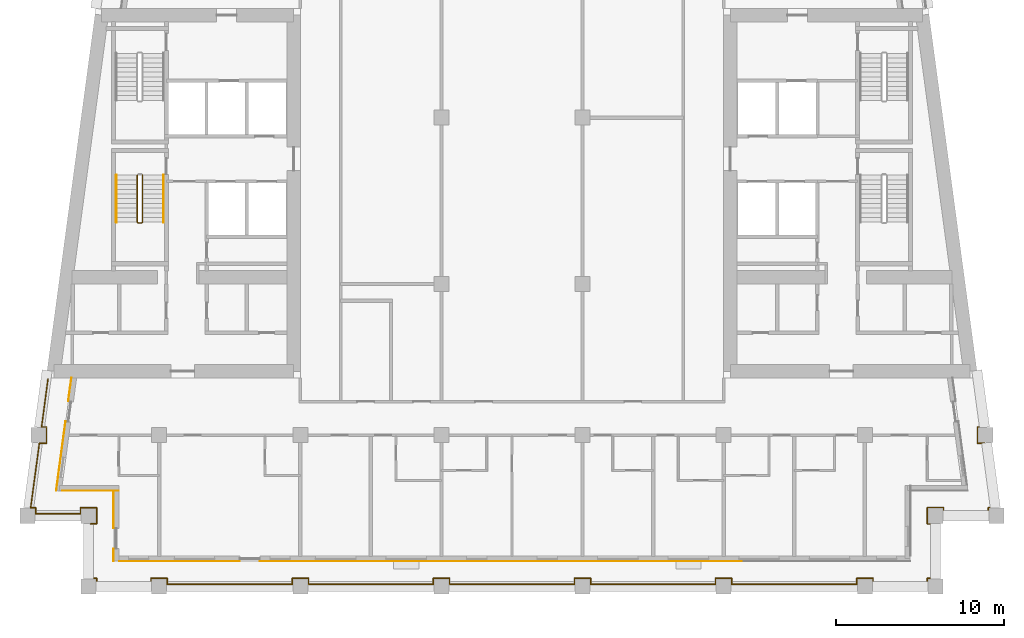
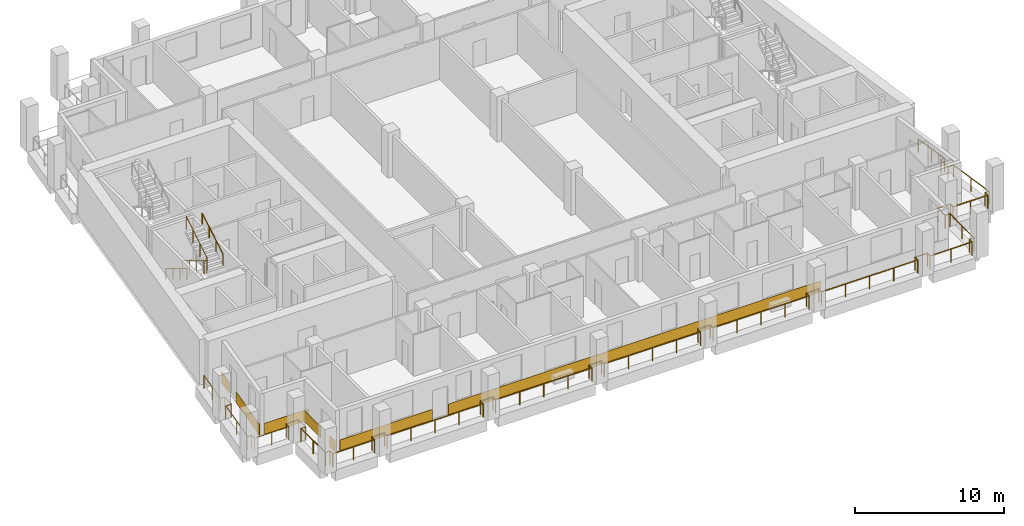
# One storey, part 8 of 12: 7 coverings, 5 railings.
"""IFC4 building model written with IfcOpenShell, lengths in metres."""

from ifc_helpers import new_model, si_unit, direction, frame, origin, origin_2d, place, context, subcontext, project, spatial, rectangle, circle, extrude, material, layer, layer_set, type_object, element, save


model = new_model("IFC4")

# Units and contexts
model_context = context("Model", 3, precision=1e-05, world=origin(), true_north=direction((0.0, 1.0)))
body_context = subcontext(model_context, "Body", "Model", "MODEL_VIEW")
ifc_project = project(units=[si_unit("LENGTHUNIT", "METRE"), si_unit("AREAUNIT", "SQUARE_METRE"), si_unit("VOLUMEUNIT", "CUBIC_METRE"), si_unit("PLANEANGLEUNIT", "RADIAN"), si_unit("MASSUNIT", "GRAM", prefix="KILO")], contexts=[model_context])

# Site, building, storey
site_placement = place(None, origin())
site = spatial("IfcSite", under=ifc_project, at=site_placement, CompositionType="ELEMENT")
building_placement = place(site_placement, origin())
building = spatial("IfcBuilding", under=site, at=building_placement, Name="Candeia Pilgrim Tower and Theatre", CompositionType="ELEMENT")
storey_placement = place(building_placement, frame((0.0, 0.0, 228.10009765625)))
storey = spatial("IfcBuildingStorey", under=building, at=storey_placement, Name="L55", CompositionType="ELEMENT", Elevation=228.10009765625)

# Railings
ifc_material_1 = material(Name="Stainless steel balustrade", Category="steel")
railing_type_1 = type_object("IfcRailingType", Name="G1 loggia guard 1100", PredefinedType="GUARDRAIL", material=ifc_material_1)
railing_1_placement = place(storey_placement, frame((88.320068359375, 101.719970703125, 0.0)))
element("IfcRailing", 1, at=railing_1_placement, inside=storey, type_object=railing_type_1, Name="Guard L55.1", PredefinedType="GUARDRAIL", context=body_context, shape_type="SweptSolid", body=[
    extrude(circle(Radius=0.02392578125, at=origin_2d()), frame((0.0, 0.0, 1.076171875), z_axis=(1.0, 0.0, 0.0), x_axis=(0.0, 1.0, 0.0)), (0.0, 0.0, 1.0), 0.35986328125),
    extrude(circle(Radius=0.02392578125, at=origin_2d()), frame((0.35986328125, 0.0, 1.076171875), z_axis=(0.0, 1.0, 0.0), x_axis=(-1.0, 0.0, 0.0)), (0.0, 0.0, 1.0), 0.9599609375),
    extrude(circle(Radius=0.02392578125, at=origin_2d()), frame((0.35986328125, 0.9599609375, 1.076171875), z_axis=(-1.0, 0.0, 0.0), x_axis=(0.0, -1.0, 0.0)), (0.0, 0.0, 1.0), 0.9599609375),
    extrude(circle(Radius=0.02392578125, at=origin_2d()), frame((-0.60009765625, 0.9599609375, 1.076171875), z_axis=(0.0, -1.0, 0.0), x_axis=(1.0, 0.0, 0.0)), (0.0, 0.0, 1.0), 0.35986328125),
    extrude(circle(Radius=0.02392578125, at=origin_2d()), frame((-0.60009765625, 0.60009765625, 1.076171875), z_axis=(-1.0, 0.0, 0.0), x_axis=(0.0, -1.0, 0.0)), (0.0, 0.0, 1.0), 2.674560546875),
    extrude(circle(Radius=0.02392578125, at=origin_2d()), frame((-3.274658203125, 0.60009765625, 1.076171875), z_axis=(0.0, 1.0, 0.0), x_axis=(-1.0, 0.0, 0.0)), (0.0, 0.0, 1.0), 0.35986328125),
    extrude(circle(Radius=0.02392578125, at=origin_2d()), frame((-3.274658203125, 0.9599609375, 1.076171875), z_axis=(-1.0, 0.0, 0.0), x_axis=(0.0, -1.0, 0.0)), (0.0, 0.0, 1.0), 0.29443359375),
    extrude(circle(Radius=0.02392578125, at=origin_2d()), frame((-3.569091796875, 0.9599609375, 1.076171875), z_axis=(0.133451286285, 0.991055373927, 0.0), x_axis=(-0.991055373927, 0.133451286285, 0.0)), (0.0, 0.0, 1.0), 3.874755859375),
    extrude(circle(Radius=0.02392578125, at=origin_2d()), frame((-3.052001953125, 4.800048828125, 1.076171875), z_axis=(1.0, 0.0, 0.0), x_axis=(0.0, 1.0, 0.0)), (0.0, 0.0, 1.0), 0.423583984375),
    extrude(circle(Radius=0.02392578125, at=origin_2d()), frame((-2.62841796875, 4.800048828125, 1.076171875), z_axis=(0.0, 1.0, 0.0), x_axis=(-1.0, 0.0, 0.0)), (0.0, 0.0, 1.0), 0.9599609375),
    extrude(circle(Radius=0.02392578125, at=origin_2d()), frame((-2.62841796875, 5.760009765625, 1.076171875), z_axis=(-1.0, 0.0, 0.0), x_axis=(0.0, -1.0, 0.0)), (0.0, 0.0, 1.0), 0.29443359375),
    extrude(circle(Radius=0.02392578125, at=origin_2d()), frame((-2.9228515625, 5.760009765625, 1.076171875), z_axis=(0.133450228179, 0.991055516406, 0.0), x_axis=(-0.991055516406, 0.133450228179, 0.0)), (0.0, 0.0, 1.0), 2.89599609375),
    extrude(circle(Radius=0.02099609375, at=origin_2d()), origin(), (0.0, 0.0, 1.0), 1.052001953125),
    extrude(circle(Radius=0.02099609375, at=origin_2d()), frame((0.35986328125, 0.0, 0.0)), (0.0, 0.0, 1.0), 1.052001953125),
    extrude(circle(Radius=0.02099609375, at=origin_2d()), frame((0.35986328125, 0.9599609375, 0.0)), (0.0, 0.0, 1.0), 1.052001953125),
    extrude(circle(Radius=0.02099609375, at=origin_2d()), frame((-0.60009765625, 0.9599609375, 0.0)), (0.0, 0.0, 1.0), 1.052001953125),
    extrude(circle(Radius=0.02099609375, at=origin_2d()), frame((-0.60009765625, 0.60009765625, 0.0)), (0.0, 0.0, 1.0), 1.052001953125),
    extrude(circle(Radius=0.02099609375, at=origin_2d()), frame((-1.9375, 0.60009765625, 0.0)), (0.0, 0.0, 1.0), 1.052001953125),
    extrude(circle(Radius=0.02099609375, at=origin_2d()), frame((-3.274658203125, 0.60009765625, 0.0)), (0.0, 0.0, 1.0), 1.052001953125),
    extrude(circle(Radius=0.02099609375, at=origin_2d()), frame((-3.274658203125, 0.9599609375, 0.0)), (0.0, 0.0, 1.0), 1.052001953125),
    extrude(circle(Radius=0.02099609375, at=origin_2d()), frame((-3.569091796875, 0.9599609375, 0.0)), (0.0, 0.0, 1.0), 1.052001953125),
    extrude(circle(Radius=0.02099609375, at=origin_2d()), frame((-3.310546875, 2.8798828125, 0.0)), (0.0, 0.0, 1.0), 1.052001953125),
    extrude(circle(Radius=0.02099609375, at=origin_2d()), frame((-3.052001953125, 4.800048828125, 0.0)), (0.0, 0.0, 1.0), 1.052001953125),
    extrude(circle(Radius=0.02099609375, at=origin_2d()), frame((-2.62841796875, 4.800048828125, 0.0)), (0.0, 0.0, 1.0), 1.052001953125),
    extrude(circle(Radius=0.02099609375, at=origin_2d()), frame((-2.62841796875, 5.760009765625, 0.0)), (0.0, 0.0, 1.0), 1.052001953125),
    extrude(circle(Radius=0.02099609375, at=origin_2d()), frame((-2.9228515625, 5.760009765625, 0.0)), (0.0, 0.0, 1.0), 1.052001953125),
    extrude(circle(Radius=0.02099609375, at=origin_2d()), frame((-2.7294921875, 7.195068359375, 0.0)), (0.0, 0.0, 1.0), 1.052001953125),
    extrude(circle(Radius=0.02099609375, at=origin_2d()), frame((-2.536376953125, 8.630126953125, 0.0)), (0.0, 0.0, 1.0), 1.052001953125),
])
railing_2_placement = place(storey_placement, frame((141.016357421875, 110.35009765625, 0.0)))
element("IfcRailing", 2, at=railing_2_placement, inside=storey, type_object=railing_type_1, Name="Guard L55.4", PredefinedType="GUARDRAIL", context=body_context, shape_type="SweptSolid", body=[
    extrude(circle(Radius=0.02392578125, at=origin_2d()), frame((0.0, 0.0, 1.076171875), z_axis=(0.133450228179, -0.991055516406, 0.0), x_axis=(0.991055516406, 0.133450228179, 0.0)), (0.0, 0.0, 1.0), 2.89599609375),
    extrude(circle(Radius=0.02392578125, at=origin_2d()), frame((0.386474609375, -2.8701171875, 1.076171875), z_axis=(-1.0, 0.0, 0.0), x_axis=(0.0, -1.0, 0.0)), (0.0, 0.0, 1.0), 0.29443359375),
    extrude(circle(Radius=0.02392578125, at=origin_2d()), frame((0.092041015625, -2.8701171875, 1.076171875), z_axis=(0.0, -1.0, 0.0), x_axis=(1.0, 0.0, 0.0)), (0.0, 0.0, 1.0), 0.9599609375),
    extrude(circle(Radius=0.02392578125, at=origin_2d()), frame((0.092041015625, -3.830078125, 1.076171875), z_axis=(1.0, 0.0, 0.0), x_axis=(0.0, 1.0, 0.0)), (0.0, 0.0, 1.0), 0.423583984375),
    extrude(circle(Radius=0.02392578125, at=origin_2d()), frame((0.515625, -3.830078125, 1.076171875), z_axis=(0.133389399471, -0.991063705374, 0.0), x_axis=(0.991063705374, 0.133389399471, 0.0)), (0.0, 0.0, 1.0), 3.874755859375),
    extrude(circle(Radius=0.02392578125, at=origin_2d()), frame((1.032470703125, -7.670166015625, 1.076171875), z_axis=(-1.0, 0.0, 0.0), x_axis=(0.0, -1.0, 0.0)), (0.0, 0.0, 1.0), 0.294189453125),
    extrude(circle(Radius=0.02392578125, at=origin_2d()), frame((0.73828125, -7.670166015625, 1.076171875), z_axis=(0.0, -1.0, 0.0), x_axis=(1.0, 0.0, 0.0)), (0.0, 0.0, 1.0), 0.35986328125),
    extrude(circle(Radius=0.02392578125, at=origin_2d()), frame((0.73828125, -8.030029296875, 1.076171875), z_axis=(-1.0, 0.0, 0.0), x_axis=(0.0, -1.0, 0.0)), (0.0, 0.0, 1.0), 2.674560546875),
    extrude(circle(Radius=0.02392578125, at=origin_2d()), frame((-1.936279296875, -8.030029296875, 1.076171875), z_axis=(0.0, 1.0, 0.0), x_axis=(-1.0, 0.0, 0.0)), (0.0, 0.0, 1.0), 0.35986328125),
    extrude(circle(Radius=0.02392578125, at=origin_2d()), frame((-1.936279296875, -7.670166015625, 1.076171875), z_axis=(-1.0, 0.0, 0.0), x_axis=(0.0, -1.0, 0.0)), (0.0, 0.0, 1.0), 0.9599609375),
    extrude(circle(Radius=0.02392578125, at=origin_2d()), frame((-2.896240234375, -7.670166015625, 1.076171875), z_axis=(0.0, -1.0, 0.0), x_axis=(1.0, 0.0, 0.0)), (0.0, 0.0, 1.0), 0.9599609375),
    extrude(circle(Radius=0.02392578125, at=origin_2d()), frame((-2.896240234375, -8.630126953125, 1.076171875), z_axis=(1.0, 0.0, 0.0), x_axis=(0.0, 1.0, 0.0)), (0.0, 0.0, 1.0), 0.35986328125),
    extrude(circle(Radius=0.02392578125, at=origin_2d()), frame((-2.536376953125, -8.630126953125, 1.076171875), z_axis=(0.0, -1.0, 0.0), x_axis=(1.0, 0.0, 0.0)), (0.0, 0.0, 1.0), 3.239990234375),
    extrude(circle(Radius=0.02392578125, at=origin_2d()), frame((-2.536376953125, -11.8701171875, 1.076171875), z_axis=(-1.0, 0.0, 0.0), x_axis=(0.0, -1.0, 0.0)), (0.0, 0.0, 1.0), 0.35986328125),
    extrude(circle(Radius=0.02392578125, at=origin_2d()), frame((-2.896240234375, -11.8701171875, 1.076171875), z_axis=(0.0, -1.0, 0.0), x_axis=(1.0, 0.0, 0.0)), (0.0, 0.0, 1.0), 0.35986328125),
    extrude(circle(Radius=0.02392578125, at=origin_2d()), frame((-2.896240234375, -12.22998046875, 1.076171875), z_axis=(-1.0, 0.0, 0.0), x_axis=(0.0, -1.0, 0.0)), (0.0, 0.0, 1.0), 3.240234375),
    extrude(circle(Radius=0.02392578125, at=origin_2d()), frame((-6.136474609375, -12.22998046875, 1.076171875), z_axis=(0.0, 1.0, 0.0), x_axis=(-1.0, 0.0, 0.0)), (0.0, 0.0, 1.0), 0.35986328125),
    extrude(circle(Radius=0.02392578125, at=origin_2d()), frame((-6.136474609375, -11.8701171875, 1.076171875), z_axis=(-1.0, 0.0, 0.0), x_axis=(0.0, -1.0, 0.0)), (0.0, 0.0, 1.0), 0.9599609375),
    extrude(circle(Radius=0.02392578125, at=origin_2d()), frame((-7.096435546875, -11.8701171875, 1.076171875), z_axis=(0.0, -1.0, 0.0), x_axis=(1.0, 0.0, 0.0)), (0.0, 0.0, 1.0), 0.35986328125),
    extrude(circle(Radius=0.02392578125, at=origin_2d()), frame((-7.096435546875, -12.22998046875, 1.076171875), z_axis=(-1.0, 0.0, 0.0), x_axis=(0.0, -1.0, 0.0)), (0.0, 0.0, 1.0), 7.43994140625),
    extrude(circle(Radius=0.02392578125, at=origin_2d()), frame((-14.536376953125, -12.22998046875, 1.076171875), z_axis=(0.0, 1.0, 0.0), x_axis=(-1.0, 0.0, 0.0)), (0.0, 0.0, 1.0), 0.35986328125),
    extrude(circle(Radius=0.02392578125, at=origin_2d()), frame((-14.536376953125, -11.8701171875, 1.076171875), z_axis=(-1.0, 0.0, 0.0), x_axis=(0.0, -1.0, 0.0)), (0.0, 0.0, 1.0), 0.9599609375),
    extrude(circle(Radius=0.02392578125, at=origin_2d()), frame((-15.496337890625, -11.8701171875, 1.076171875), z_axis=(0.0, -1.0, 0.0), x_axis=(1.0, 0.0, 0.0)), (0.0, 0.0, 1.0), 0.35986328125),
    extrude(circle(Radius=0.02392578125, at=origin_2d()), frame((-15.496337890625, -12.22998046875, 1.076171875), z_axis=(-1.0, 0.0, 0.0), x_axis=(0.0, -1.0, 0.0)), (0.0, 0.0, 1.0), 7.43994140625),
    extrude(circle(Radius=0.02392578125, at=origin_2d()), frame((-22.936279296875, -12.22998046875, 1.076171875), z_axis=(0.0, 1.0, 0.0), x_axis=(-1.0, 0.0, 0.0)), (0.0, 0.0, 1.0), 0.35986328125),
    extrude(circle(Radius=0.02392578125, at=origin_2d()), frame((-22.936279296875, -11.8701171875, 1.076171875), z_axis=(-1.0, 0.0, 0.0), x_axis=(0.0, -1.0, 0.0)), (0.0, 0.0, 1.0), 0.9599609375),
    extrude(circle(Radius=0.02392578125, at=origin_2d()), frame((-23.896240234375, -11.8701171875, 1.076171875), z_axis=(0.0, -1.0, 0.0), x_axis=(1.0, 0.0, 0.0)), (0.0, 0.0, 1.0), 0.35986328125),
    extrude(circle(Radius=0.02392578125, at=origin_2d()), frame((-23.896240234375, -12.22998046875, 1.076171875), z_axis=(-1.0, 0.0, 0.0), x_axis=(0.0, -1.0, 0.0)), (0.0, 0.0, 1.0), 7.440185546875),
    extrude(circle(Radius=0.02392578125, at=origin_2d()), frame((-31.33642578125, -12.22998046875, 1.076171875), z_axis=(0.0, 1.0, 0.0), x_axis=(-1.0, 0.0, 0.0)), (0.0, 0.0, 1.0), 0.35986328125),
    extrude(circle(Radius=0.02392578125, at=origin_2d()), frame((-31.33642578125, -11.8701171875, 1.076171875), z_axis=(-1.0, 0.0, 0.0), x_axis=(0.0, -1.0, 0.0)), (0.0, 0.0, 1.0), 0.9599609375),
    extrude(circle(Radius=0.02392578125, at=origin_2d()), frame((-32.29638671875, -11.8701171875, 1.076171875), z_axis=(0.0, -1.0, 0.0), x_axis=(1.0, 0.0, 0.0)), (0.0, 0.0, 1.0), 0.35986328125),
    extrude(circle(Radius=0.02392578125, at=origin_2d()), frame((-32.29638671875, -12.22998046875, 1.076171875), z_axis=(-1.0, 0.0, 0.0), x_axis=(0.0, -1.0, 0.0)), (0.0, 0.0, 1.0), 7.43994140625),
    extrude(circle(Radius=0.02392578125, at=origin_2d()), frame((-39.736328125, -12.22998046875, 1.076171875), z_axis=(0.0, 1.0, 0.0), x_axis=(-1.0, 0.0, 0.0)), (0.0, 0.0, 1.0), 0.35986328125),
    extrude(circle(Radius=0.02392578125, at=origin_2d()), frame((-39.736328125, -11.8701171875, 1.076171875), z_axis=(-1.0, 0.0, 0.0), x_axis=(0.0, -1.0, 0.0)), (0.0, 0.0, 1.0), 0.9599609375),
    extrude(circle(Radius=0.02392578125, at=origin_2d()), frame((-40.6962890625, -11.8701171875, 1.076171875), z_axis=(0.0, -1.0, 0.0), x_axis=(1.0, 0.0, 0.0)), (0.0, 0.0, 1.0), 0.35986328125),
    extrude(circle(Radius=0.02392578125, at=origin_2d()), frame((-40.6962890625, -12.22998046875, 1.076171875), z_axis=(-1.0, 0.0, 0.0), x_axis=(0.0, -1.0, 0.0)), (0.0, 0.0, 1.0), 7.440185546875),
    extrude(circle(Radius=0.02392578125, at=origin_2d()), frame((-48.136474609375, -12.22998046875, 1.076171875), z_axis=(0.0, 1.0, 0.0), x_axis=(-1.0, 0.0, 0.0)), (0.0, 0.0, 1.0), 0.35986328125),
    extrude(circle(Radius=0.02392578125, at=origin_2d()), frame((-48.136474609375, -11.8701171875, 1.076171875), z_axis=(-1.0, 0.0, 0.0), x_axis=(0.0, -1.0, 0.0)), (0.0, 0.0, 1.0), 0.9599609375),
    extrude(circle(Radius=0.02392578125, at=origin_2d()), frame((-49.096435546875, -11.8701171875, 1.076171875), z_axis=(0.0, -1.0, 0.0), x_axis=(1.0, 0.0, 0.0)), (0.0, 0.0, 1.0), 0.35986328125),
    extrude(circle(Radius=0.02392578125, at=origin_2d()), frame((-49.096435546875, -12.22998046875, 1.076171875), z_axis=(-1.0, 0.0, 0.0), x_axis=(0.0, -1.0, 0.0)), (0.0, 0.0, 1.0), 3.239990234375),
    extrude(circle(Radius=0.02392578125, at=origin_2d()), frame((-52.33642578125, -12.22998046875, 1.076171875), z_axis=(0.0, 1.0, 0.0), x_axis=(-1.0, 0.0, 0.0)), (0.0, 0.0, 1.0), 0.35986328125),
    extrude(circle(Radius=0.02392578125, at=origin_2d()), frame((-52.33642578125, -11.8701171875, 1.076171875), z_axis=(-1.0, 0.0, 0.0), x_axis=(0.0, -1.0, 0.0)), (0.0, 0.0, 1.0), 0.35986328125),
    extrude(circle(Radius=0.02392578125, at=origin_2d()), frame((-52.6962890625, -11.8701171875, 1.076171875), z_axis=(0.0, 1.0, 0.0), x_axis=(-1.0, 0.0, 0.0)), (0.0, 0.0, 1.0), 3.239990234375),
    extrude(circle(Radius=0.02099609375, at=origin_2d()), origin(), (0.0, 0.0, 1.0), 1.052001953125),
    extrude(circle(Radius=0.02099609375, at=origin_2d()), frame((0.193359375, -1.43505859375, 0.0)), (0.0, 0.0, 1.0), 1.052001953125),
    extrude(circle(Radius=0.02099609375, at=origin_2d()), frame((0.386474609375, -2.8701171875, 0.0)), (0.0, 0.0, 1.0), 1.052001953125),
    extrude(circle(Radius=0.02099609375, at=origin_2d()), frame((0.092041015625, -2.8701171875, 0.0)), (0.0, 0.0, 1.0), 1.052001953125),
    extrude(circle(Radius=0.02099609375, at=origin_2d()), frame((0.092041015625, -3.830078125, 0.0)), (0.0, 0.0, 1.0), 1.052001953125),
    extrude(circle(Radius=0.02099609375, at=origin_2d()), frame((0.515625, -3.830078125, 0.0)), (0.0, 0.0, 1.0), 1.052001953125),
    extrude(circle(Radius=0.02099609375, at=origin_2d()), frame((0.77392578125, -5.75, 0.0)), (0.0, 0.0, 1.0), 1.052001953125),
    extrude(circle(Radius=0.02099609375, at=origin_2d()), frame((1.032470703125, -7.670166015625, 0.0)), (0.0, 0.0, 1.0), 1.052001953125),
    extrude(circle(Radius=0.02099609375, at=origin_2d()), frame((0.73828125, -7.670166015625, 0.0)), (0.0, 0.0, 1.0), 1.052001953125),
    extrude(circle(Radius=0.02099609375, at=origin_2d()), frame((0.73828125, -8.030029296875, 0.0)), (0.0, 0.0, 1.0), 1.052001953125),
    extrude(circle(Radius=0.02099609375, at=origin_2d()), frame((-0.59912109375, -8.030029296875, 0.0)), (0.0, 0.0, 1.0), 1.052001953125),
    extrude(circle(Radius=0.02099609375, at=origin_2d()), frame((-1.936279296875, -8.030029296875, 0.0)), (0.0, 0.0, 1.0), 1.052001953125),
    extrude(circle(Radius=0.02099609375, at=origin_2d()), frame((-1.936279296875, -7.670166015625, 0.0)), (0.0, 0.0, 1.0), 1.052001953125),
    extrude(circle(Radius=0.02099609375, at=origin_2d()), frame((-2.896240234375, -7.670166015625, 0.0)), (0.0, 0.0, 1.0), 1.052001953125),
    extrude(circle(Radius=0.02099609375, at=origin_2d()), frame((-2.896240234375, -8.630126953125, 0.0)), (0.0, 0.0, 1.0), 1.052001953125),
    extrude(circle(Radius=0.02099609375, at=origin_2d()), frame((-2.536376953125, -8.630126953125, 0.0)), (0.0, 0.0, 1.0), 1.052001953125),
    extrude(circle(Radius=0.02099609375, at=origin_2d()), frame((-2.536376953125, -10.25, 0.0)), (0.0, 0.0, 1.0), 1.052001953125),
    extrude(circle(Radius=0.02099609375, at=origin_2d()), frame((-2.536376953125, -11.8701171875, 0.0)), (0.0, 0.0, 1.0), 1.052001953125),
    extrude(circle(Radius=0.02099609375, at=origin_2d()), frame((-2.896240234375, -11.8701171875, 0.0)), (0.0, 0.0, 1.0), 1.052001953125),
    extrude(circle(Radius=0.02099609375, at=origin_2d()), frame((-2.896240234375, -12.22998046875, 0.0)), (0.0, 0.0, 1.0), 1.052001953125),
    extrude(circle(Radius=0.02099609375, at=origin_2d()), frame((-4.516357421875, -12.22998046875, 0.0)), (0.0, 0.0, 1.0), 1.052001953125),
    extrude(circle(Radius=0.02099609375, at=origin_2d()), frame((-6.136474609375, -12.22998046875, 0.0)), (0.0, 0.0, 1.0), 1.052001953125),
    extrude(circle(Radius=0.02099609375, at=origin_2d()), frame((-6.136474609375, -11.8701171875, 0.0)), (0.0, 0.0, 1.0), 1.052001953125),
    extrude(circle(Radius=0.02099609375, at=origin_2d()), frame((-7.096435546875, -11.8701171875, 0.0)), (0.0, 0.0, 1.0), 1.052001953125),
    extrude(circle(Radius=0.02099609375, at=origin_2d()), frame((-7.096435546875, -12.22998046875, 0.0)), (0.0, 0.0, 1.0), 1.052001953125),
    extrude(circle(Radius=0.02099609375, at=origin_2d()), frame((-8.95654296875, -12.22998046875, 0.0)), (0.0, 0.0, 1.0), 1.052001953125),
    extrude(circle(Radius=0.02099609375, at=origin_2d()), frame((-10.81640625, -12.22998046875, 0.0)), (0.0, 0.0, 1.0), 1.052001953125),
    extrude(circle(Radius=0.02099609375, at=origin_2d()), frame((-12.67626953125, -12.22998046875, 0.0)), (0.0, 0.0, 1.0), 1.052001953125),
    extrude(circle(Radius=0.02099609375, at=origin_2d()), frame((-14.536376953125, -12.22998046875, 0.0)), (0.0, 0.0, 1.0), 1.052001953125),
    extrude(circle(Radius=0.02099609375, at=origin_2d()), frame((-14.536376953125, -11.8701171875, 0.0)), (0.0, 0.0, 1.0), 1.052001953125),
    extrude(circle(Radius=0.02099609375, at=origin_2d()), frame((-15.496337890625, -11.8701171875, 0.0)), (0.0, 0.0, 1.0), 1.052001953125),
    extrude(circle(Radius=0.02099609375, at=origin_2d()), frame((-15.496337890625, -12.22998046875, 0.0)), (0.0, 0.0, 1.0), 1.052001953125),
    extrude(circle(Radius=0.02099609375, at=origin_2d()), frame((-17.3564453125, -12.22998046875, 0.0)), (0.0, 0.0, 1.0), 1.052001953125),
    extrude(circle(Radius=0.02099609375, at=origin_2d()), frame((-19.21630859375, -12.22998046875, 0.0)), (0.0, 0.0, 1.0), 1.052001953125),
    extrude(circle(Radius=0.02099609375, at=origin_2d()), frame((-21.076171875, -12.22998046875, 0.0)), (0.0, 0.0, 1.0), 1.052001953125),
    extrude(circle(Radius=0.02099609375, at=origin_2d()), frame((-22.936279296875, -12.22998046875, 0.0)), (0.0, 0.0, 1.0), 1.052001953125),
    extrude(circle(Radius=0.02099609375, at=origin_2d()), frame((-22.936279296875, -11.8701171875, 0.0)), (0.0, 0.0, 1.0), 1.052001953125),
    extrude(circle(Radius=0.02099609375, at=origin_2d()), frame((-23.896240234375, -11.8701171875, 0.0)), (0.0, 0.0, 1.0), 1.052001953125),
    extrude(circle(Radius=0.02099609375, at=origin_2d()), frame((-23.896240234375, -12.22998046875, 0.0)), (0.0, 0.0, 1.0), 1.052001953125),
    extrude(circle(Radius=0.02099609375, at=origin_2d()), frame((-25.75634765625, -12.22998046875, 0.0)), (0.0, 0.0, 1.0), 1.052001953125),
    extrude(circle(Radius=0.02099609375, at=origin_2d()), frame((-27.6162109375, -12.22998046875, 0.0)), (0.0, 0.0, 1.0), 1.052001953125),
    extrude(circle(Radius=0.02099609375, at=origin_2d()), frame((-29.476318359375, -12.22998046875, 0.0)), (0.0, 0.0, 1.0), 1.052001953125),
    extrude(circle(Radius=0.02099609375, at=origin_2d()), frame((-31.33642578125, -12.22998046875, 0.0)), (0.0, 0.0, 1.0), 1.052001953125),
    extrude(circle(Radius=0.02099609375, at=origin_2d()), frame((-31.33642578125, -11.8701171875, 0.0)), (0.0, 0.0, 1.0), 1.052001953125),
    extrude(circle(Radius=0.02099609375, at=origin_2d()), frame((-32.29638671875, -11.8701171875, 0.0)), (0.0, 0.0, 1.0), 1.052001953125),
    extrude(circle(Radius=0.02099609375, at=origin_2d()), frame((-32.29638671875, -12.22998046875, 0.0)), (0.0, 0.0, 1.0), 1.052001953125),
    extrude(circle(Radius=0.02099609375, at=origin_2d()), frame((-34.15625, -12.22998046875, 0.0)), (0.0, 0.0, 1.0), 1.052001953125),
    extrude(circle(Radius=0.02099609375, at=origin_2d()), frame((-36.016357421875, -12.22998046875, 0.0)), (0.0, 0.0, 1.0), 1.052001953125),
    extrude(circle(Radius=0.02099609375, at=origin_2d()), frame((-37.87646484375, -12.22998046875, 0.0)), (0.0, 0.0, 1.0), 1.052001953125),
    extrude(circle(Radius=0.02099609375, at=origin_2d()), frame((-39.736328125, -12.22998046875, 0.0)), (0.0, 0.0, 1.0), 1.052001953125),
    extrude(circle(Radius=0.02099609375, at=origin_2d()), frame((-39.736328125, -11.8701171875, 0.0)), (0.0, 0.0, 1.0), 1.052001953125),
    extrude(circle(Radius=0.02099609375, at=origin_2d()), frame((-40.6962890625, -11.8701171875, 0.0)), (0.0, 0.0, 1.0), 1.052001953125),
    extrude(circle(Radius=0.02099609375, at=origin_2d()), frame((-40.6962890625, -12.22998046875, 0.0)), (0.0, 0.0, 1.0), 1.052001953125),
    extrude(circle(Radius=0.02099609375, at=origin_2d()), frame((-42.556396484375, -12.22998046875, 0.0)), (0.0, 0.0, 1.0), 1.052001953125),
    extrude(circle(Radius=0.02099609375, at=origin_2d()), frame((-44.41650390625, -12.22998046875, 0.0)), (0.0, 0.0, 1.0), 1.052001953125),
    extrude(circle(Radius=0.02099609375, at=origin_2d()), frame((-46.2763671875, -12.22998046875, 0.0)), (0.0, 0.0, 1.0), 1.052001953125),
    extrude(circle(Radius=0.02099609375, at=origin_2d()), frame((-48.136474609375, -12.22998046875, 0.0)), (0.0, 0.0, 1.0), 1.052001953125),
    extrude(circle(Radius=0.02099609375, at=origin_2d()), frame((-48.136474609375, -11.8701171875, 0.0)), (0.0, 0.0, 1.0), 1.052001953125),
    extrude(circle(Radius=0.02099609375, at=origin_2d()), frame((-49.096435546875, -11.8701171875, 0.0)), (0.0, 0.0, 1.0), 1.052001953125),
    extrude(circle(Radius=0.02099609375, at=origin_2d()), frame((-49.096435546875, -12.22998046875, 0.0)), (0.0, 0.0, 1.0), 1.052001953125),
    extrude(circle(Radius=0.02099609375, at=origin_2d()), frame((-50.71630859375, -12.22998046875, 0.0)), (0.0, 0.0, 1.0), 1.052001953125),
    extrude(circle(Radius=0.02099609375, at=origin_2d()), frame((-52.33642578125, -12.22998046875, 0.0)), (0.0, 0.0, 1.0), 1.052001953125),
    extrude(circle(Radius=0.02099609375, at=origin_2d()), frame((-52.33642578125, -11.8701171875, 0.0)), (0.0, 0.0, 1.0), 1.052001953125),
    extrude(circle(Radius=0.02099609375, at=origin_2d()), frame((-52.6962890625, -11.8701171875, 0.0)), (0.0, 0.0, 1.0), 1.052001953125),
    extrude(circle(Radius=0.02099609375, at=origin_2d()), frame((-52.6962890625, -10.25, 0.0)), (0.0, 0.0, 1.0), 1.052001953125),
    extrude(circle(Radius=0.02099609375, at=origin_2d()), frame((-52.6962890625, -8.630126953125, 0.0)), (0.0, 0.0, 1.0), 1.052001953125),
])

# Coverings
ifc_material_2 = material(Name="Glazed ceramic tile bottle green")
ifc_layer = layer(ifc_material_2, 0.02001953125)
ifc_layer_set = layer_set([ifc_layer], Name="Glazed ceramic tile bottle green")
covering_type = type_object("IfcCoveringType", Name="Glazed ceramic tile bottle green", PredefinedType="CLADDING", material=ifc_layer_set)
covering_1_placement = place(storey_placement, frame((93.610107421875, 99.489990234375, 0.0), z_axis=(0.0, 0.0, 1.0), x_axis=(1.0, 0.0, 0.0)))
element("IfcCovering", 3, at=covering_1_placement, inside=storey, type_object=covering_type, Name="Tile cladding bottle green L55", PredefinedType="CLADDING", context=body_context, shape_type="SweptSolid", body=[
    extrude(rectangle(XDim=7.179931640625, YDim=0.02001953125, at=origin_2d()), origin(), (0.0, 0.0, 1.0), 0.89990234375),
])
covering_2_placement = place(storey_placement, frame((112.800048828125, 99.489990234375, 0.0), z_axis=(0.0, 0.0, 1.0), x_axis=(1.0, 0.0, 0.0)))
element("IfcCovering", 4, at=covering_2_placement, inside=storey, type_object=covering_type, Name="Tile cladding bottle green L55", PredefinedType="CLADDING", context=body_context, shape_type="SweptSolid", body=[
    extrude(rectangle(XDim=28.800048828125, YDim=0.02001953125, at=origin_2d()), origin(), (0.0, 0.0, 1.0), 0.89990234375),
])
covering_3_placement = place(storey_placement, frame((87.0810546875, 109.71875, 0.0), z_axis=(0.0, 0.0, 1.0), x_axis=(-0.133412012145, -0.991060661622, 0.0)))
element("IfcCovering", 5, at=covering_3_placement, inside=storey, type_object=covering_type, Name="Tile cladding bottle green L55", PredefinedType="CLADDING", context=body_context, shape_type="SweptSolid", body=[
    extrude(rectangle(XDim=1.41796875, YDim=0.02001953125, at=origin_2d()), origin(), (0.0, 0.0, 1.0), 0.89990234375),
])
covering_4_placement = place(storey_placement, frame((86.548583984375, 105.763916015625, 0.0), z_axis=(0.0, 0.0, 1.0), x_axis=(-0.133412012145, -0.991060661622, 0.0)))
element("IfcCovering", 6, at=covering_4_placement, inside=storey, type_object=covering_type, Name="Tile cladding bottle green L55", PredefinedType="CLADDING", context=body_context, shape_type="SweptSolid", body=[
    extrude(rectangle(XDim=4.16259765625, YDim=0.02001953125, at=origin_2d()), origin(), (0.0, 0.0, 1.0), 0.89990234375),
])
covering_5_placement = place(storey_placement, frame((88.311279296875, 103.68994140625, 0.0), z_axis=(0.0, 0.0, 1.0), x_axis=(1.0, 0.0, 0.0)))
element("IfcCovering", 7, at=covering_5_placement, inside=storey, type_object=covering_type, Name="Tile cladding bottle green L55", PredefinedType="CLADDING", context=body_context, shape_type="SweptSolid", body=[
    extrude(rectangle(XDim=3.377685546875, YDim=0.02001953125, at=origin_2d()), origin(), (0.0, 0.0, 1.0), 0.89990234375),
])
covering_6_placement = place(storey_placement, frame((89.68994140625, 102.56494140625, 0.0), z_axis=(0.0, 0.0, 1.0), x_axis=(0.0, -1.0, 0.0)))
element("IfcCovering", 8, at=covering_6_placement, inside=storey, type_object=covering_type, Name="Tile cladding bottle green L55", PredefinedType="CLADDING", context=body_context, shape_type="SweptSolid", body=[
    extrude(rectangle(XDim=2.22998046875, YDim=0.02001953125, at=origin_2d()), origin(), (0.0, 0.0, 1.0), 0.89990234375),
])
covering_7_placement = place(storey_placement, frame((89.68994140625, 99.875, 0.0), z_axis=(0.0, 0.0, 1.0), x_axis=(0.0, -1.0, 0.0)))
element("IfcCovering", 9, at=covering_7_placement, inside=storey, type_object=covering_type, Name="Tile cladding bottle green L55", PredefinedType="CLADDING", context=body_context, shape_type="SweptSolid", body=[
    extrude(rectangle(XDim=0.75, YDim=0.02001953125, at=origin_2d()), origin(), (0.0, 0.0, 1.0), 0.89990234375),
])

# Railings
railing_type_2 = type_object("IfcRailingType", Name="RL-GUARD-1100", PredefinedType="GUARDRAIL", material=ifc_material_1)
railing_3_placement = place(storey_placement, frame((91.10205078125, 122.47509765625, 0.16796875)))
element("IfcRailing", 10, at=railing_3_placement, inside=storey, type_object=railing_type_2, Name="L55 ST1 stair guard 1", PredefinedType="GUARDRAIL", context=body_context, shape_type="SweptSolid", body=[
    extrude(circle(Radius=0.02392578125, at=origin_2d()), frame((0.0, 0.0, 1.076171875), z_axis=(0.0, -0.857242210791, 0.514913383045), x_axis=(1.0, 0.0, 0.0)), (0.0, 0.0, 1.0), 3.266357421875),
    extrude(circle(Radius=0.02392578125, at=origin_2d()), frame((0.0, -2.800048828125, 2.7578125), z_axis=(0.707106781187, -0.707106781187, 0.0), x_axis=(0.707106781187, 0.707106781187, 0.0)), (0.0, 0.0, 1.0), 0.07080078125),
    extrude(circle(Radius=0.02392578125, at=origin_2d()), frame((0.050048828125, -2.85009765625, 2.7578125), z_axis=(1.0, 0.0, 0.0), x_axis=(0.0, 1.0, 0.0)), (0.0, 0.0, 1.0), 0.199951171875),
    extrude(circle(Radius=0.02392578125, at=origin_2d()), frame((0.25, -2.85009765625, 2.7578125), z_axis=(0.274243871929, 0.274243871929, 0.92172696468), x_axis=(-0.707106781187, 0.707106781187, 0.0)), (0.0, 0.0, 1.0), 0.1826171875),
    extrude(circle(Radius=0.02392578125, at=origin_2d()), frame((0.300048828125, -2.800048828125, 2.92626953125), z_axis=(0.0, 0.857242210791, 0.514913383045), x_axis=(-1.0, 0.0, 0.0)), (0.0, 0.0, 1.0), 3.266357421875),
    extrude(circle(Radius=0.02099609375, at=origin_2d()), origin(), (0.0, 0.0, 1.0), 1.052001953125),
    extrude(circle(Radius=0.02099609375, at=origin_2d()), frame((0.0, -0.933349609375, 0.560546875)), (0.0, 0.0, 1.0), 1.052001953125),
    extrude(circle(Radius=0.02099609375, at=origin_2d()), frame((0.0, -1.86669921875, 1.121337890625)), (0.0, 0.0, 1.0), 1.052001953125),
    extrude(circle(Radius=0.02099609375, at=origin_2d()), frame((0.0, -2.800048828125, 1.681884765625)), (0.0, 0.0, 1.0), 1.052001953125),
    extrude(circle(Radius=0.02099609375, at=origin_2d()), frame((0.050048828125, -2.85009765625, 1.681884765625)), (0.0, 0.0, 1.0), 1.052001953125),
    extrude(circle(Radius=0.02099609375, at=origin_2d()), frame((0.25, -2.85009765625, 1.681884765625)), (0.0, 0.0, 1.0), 1.052001953125),
    extrude(circle(Radius=0.02099609375, at=origin_2d()), frame((0.300048828125, -2.800048828125, 1.85009765625)), (0.0, 0.0, 1.0), 1.052001953125),
    extrude(circle(Radius=0.02099609375, at=origin_2d()), frame((0.300048828125, -1.86669921875, 2.41064453125)), (0.0, 0.0, 1.0), 1.052001953125),
    extrude(circle(Radius=0.02099609375, at=origin_2d()), frame((0.300048828125, -0.933349609375, 2.971435546875)), (0.0, 0.0, 1.0), 1.052001953125),
    extrude(circle(Radius=0.02099609375, at=origin_2d()), frame((0.300048828125, 0.0, 3.531982421875)), (0.0, 0.0, 1.0), 1.052001953125),
])
ifc_material_3 = material(Name="Stainless steel handrail", Category="steel")
railing_type_3 = type_object("IfcRailingType", Name="RL-HANDRAIL-900", PredefinedType="HANDRAIL", material=ifc_material_3)
railing_4_placement = place(storey_placement, frame((89.85205078125, 122.47509765625, 0.16796875)))
element("IfcRailing", 11, at=railing_4_placement, inside=storey, type_object=railing_type_3, Name="L55 ST1 stair handrail 1", PredefinedType="HANDRAIL", context=body_context, shape_type="SweptSolid", body=[
    extrude(circle(Radius=0.02392578125, at=origin_2d()), frame((0.0, 0.0, 0.8759765625), z_axis=(0.0, -0.857242210791, 0.514913383045), x_axis=(1.0, 0.0, 0.0)), (0.0, 0.0, 1.0), 3.266357421875),
    extrude(circle(Radius=0.02099609375, at=origin_2d()), origin(), (0.0, 0.0, 1.0), 0.851806640625),
    extrude(circle(Radius=0.02099609375, at=origin_2d()), frame((0.0, -0.933349609375, 0.560546875)), (0.0, 0.0, 1.0), 0.851806640625),
    extrude(circle(Radius=0.02099609375, at=origin_2d()), frame((0.0, -1.86669921875, 1.121337890625)), (0.0, 0.0, 1.0), 0.851806640625),
    extrude(circle(Radius=0.02099609375, at=origin_2d()), frame((0.0, -2.800048828125, 1.681884765625)), (0.0, 0.0, 1.0), 0.851806640625),
])
railing_5_placement = place(storey_placement, frame((92.652099609375, 119.675048828125, 2.01806640625)))
element("IfcRailing", 12, at=railing_5_placement, inside=storey, type_object=railing_type_3, Name="L55 ST1 stair handrail 2", PredefinedType="HANDRAIL", context=body_context, shape_type="SweptSolid", body=[
    extrude(circle(Radius=0.02392578125, at=origin_2d()), frame((0.0, 0.0, 0.8759765625), z_axis=(0.0, 0.857242210791, 0.514913383045), x_axis=(-1.0, 0.0, 0.0)), (0.0, 0.0, 1.0), 3.266357421875),
    extrude(circle(Radius=0.02099609375, at=origin_2d()), origin(), (0.0, 0.0, 1.0), 0.851806640625),
    extrude(circle(Radius=0.02099609375, at=origin_2d()), frame((0.0, 0.933349609375, 0.560546875)), (0.0, 0.0, 1.0), 0.851806640625),
    extrude(circle(Radius=0.02099609375, at=origin_2d()), frame((0.0, 1.86669921875, 1.121337890625)), (0.0, 0.0, 1.0), 0.851806640625),
    extrude(circle(Radius=0.02099609375, at=origin_2d()), frame((0.0, 2.800048828125, 1.681884765625)), (0.0, 0.0, 1.0), 0.851806640625),
])

save(model, "model.ifc")
